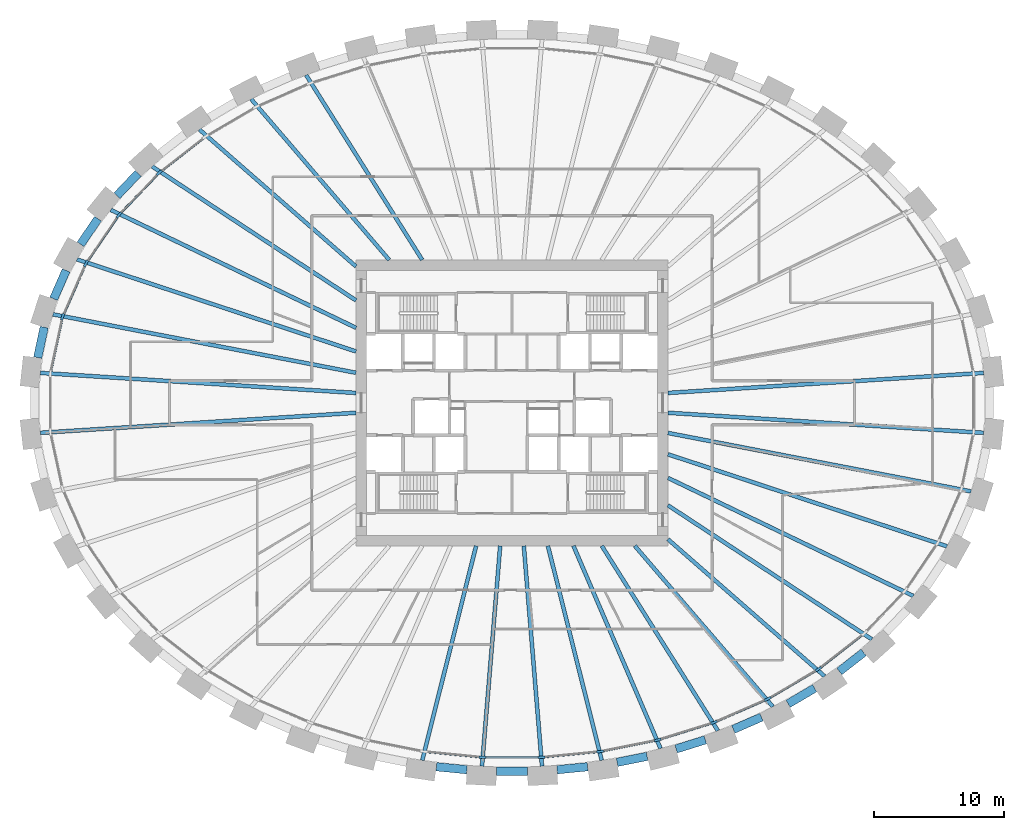
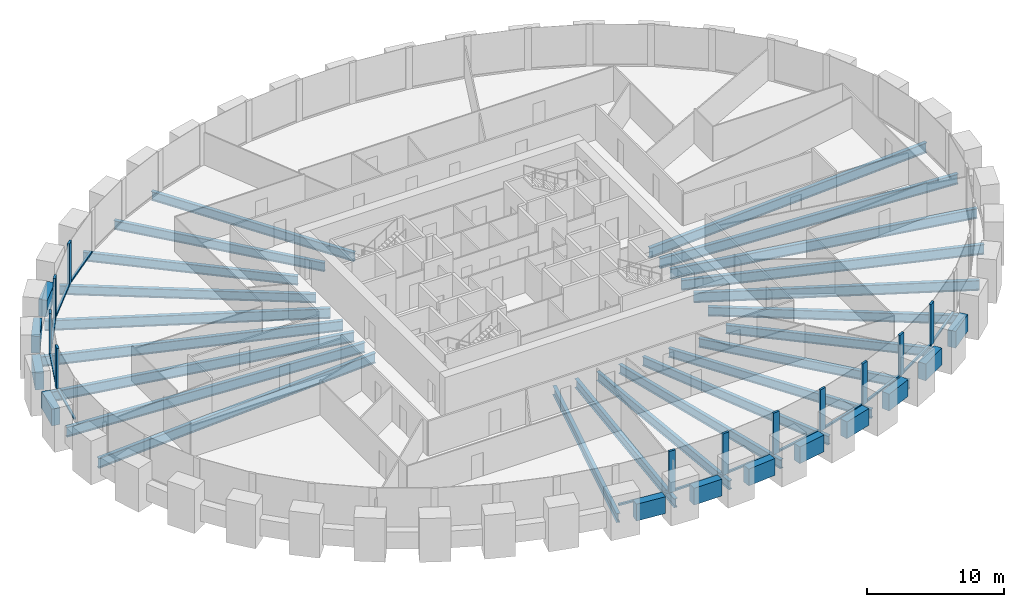
# One storey, part 2 of 10: 35 beams, 24 members, 1 element without a shape of its own.
"""IFC4 building model written with IfcOpenShell, lengths in metres."""

from ifc_helpers import new_model, si_unit, direction, frame, origin, origin_2d, place, context, subcontext, project, spatial, rectangle, i_section, extrude, source, transform, mapped, material, material_profile, profile_set, type_object, element, aggregate, save


model = new_model("IFC4")

# Units and contexts
model_context = context("Model", 3, precision=1e-05, world=origin(), true_north=direction((0.0, 1.0)))
body_context = subcontext(model_context, "Body", "Model", "MODEL_VIEW")
ifc_project = project(units=[si_unit("LENGTHUNIT", "METRE"), si_unit("AREAUNIT", "SQUARE_METRE"), si_unit("VOLUMEUNIT", "CUBIC_METRE"), si_unit("PLANEANGLEUNIT", "RADIAN"), si_unit("MASSUNIT", "GRAM", prefix="KILO")], contexts=[model_context])

# Site, building, storey
site_placement = place(None, origin())
site = spatial("IfcSite", under=ifc_project, at=site_placement, CompositionType="ELEMENT")
building_placement = place(site_placement, origin())
building = spatial("IfcBuilding", under=site, at=building_placement, Name="Embergate Tower", CompositionType="ELEMENT")
storey_placement = place(building_placement, frame((0.0, 0.0, 183.300048828125)))
storey = spatial("IfcBuildingStorey", under=building, at=storey_placement, Name="L41", CompositionType="ELEMENT", Elevation=183.300048828125)

# Beams
ifc_material_1 = material(Name="Concrete C70", Category="concrete")
ifc_material_profile_1 = material_profile(ifc_material_1, rectangle(XDim=0.64990234375, YDim=1.5, at=origin_2d()), Name="RC 650x1500")
ifc_profile_set_1 = profile_set([ifc_material_profile_1], Name="Concrete C70")
beam_type_1 = type_object("IfcBeamType", Name="Spandrel beam RC 650x1500 C70", PredefinedType="BEAM", material=ifc_profile_set_1)
shared_shape_1 = source(origin(), body_context, "Body", "SweptSolid", [
    extrude(rectangle(XDim=0.64990234375, YDim=1.5, at=origin_2d()), origin(), (0.0, 0.0, 1.0), 2.390625),
])
beam_1_placement = place(storey_placement, frame((-35.986083984375, 5.821044921875, 0.0), z_axis=(-0.210372893439, -0.977621217909, 0.0), x_axis=(0.977621217909, -0.210372893439, 0.0)))
element("IfcBeam", 1, at=beam_1_placement, inside=storey, type_object=beam_type_1, Name="SPN-L41-20", PredefinedType="BEAM", context=body_context, shape_type="MappedRepresentation", body=[
    mapped(shared_shape_1, transform((0.0, 0.0, 0.0))),
])
shared_shape_2 = source(origin(), body_context, "Body", "SweptSolid", [
    extrude(rectangle(XDim=0.64990234375, YDim=1.5, at=origin_2d()), origin(), (0.0, 0.0, 1.0), 2.383544921875),
])
beam_2_placement = place(storey_placement, frame((-34.302001953125, 10.18603515625, 0.0), z_axis=(-0.401495719711, -0.915860899402, 0.0), x_axis=(0.915860899402, -0.401495719711, 0.0)))
element("IfcBeam", 2, at=beam_2_placement, inside=storey, type_object=beam_type_1, Name="SPN-L41-19", PredefinedType="BEAM", context=body_context, shape_type="MappedRepresentation", body=[
    mapped(shared_shape_2, transform((0.0, 0.0, 0.0))),
])
shared_shape_3 = source(origin(), body_context, "Body", "SweptSolid", [
    extrude(rectangle(XDim=0.64990234375, YDim=1.5, at=origin_2d()), origin(), (0.0, 0.0, 1.0), 2.37744140625),
])
beam_3_placement = place(storey_placement, frame((-31.85107421875, 14.1650390625, 0.0), z_axis=(-0.562307212713, -0.826928411975, 0.0), x_axis=(0.826928411975, -0.562307212713, 0.0)))
element("IfcBeam", 3, at=beam_3_placement, inside=storey, type_object=beam_type_1, Name="SPN-L41-18", PredefinedType="BEAM", context=body_context, shape_type="MappedRepresentation", body=[
    mapped(shared_shape_3, transform((0.0, 0.0, 0.0))),
])
shared_shape_4 = source(origin(), body_context, "Body", "SweptSolid", [
    extrude(rectangle(XDim=0.64990234375, YDim=1.5, at=origin_2d()), origin(), (0.0, 0.0, 1.0), 2.370361328125),
])
beam_4_placement = place(storey_placement, frame((-28.7548828125, 17.656982421875, 0.0), z_axis=(-0.690277300847, -0.723544917704, 0.0), x_axis=(0.723544917704, -0.690277300847, 0.0)))
element("IfcBeam", 4, at=beam_4_placement, inside=storey, type_object=beam_type_1, Name="SPN-L41-17", PredefinedType="BEAM", context=body_context, shape_type="MappedRepresentation", body=[
    mapped(shared_shape_4, transform((0.0, 0.0, 0.0))),
])
shared_shape_5 = source(origin(), body_context, "Body", "SweptSolid", [
    extrude(rectangle(XDim=0.64990234375, YDim=1.5, at=origin_2d()), origin(), (0.0, 0.0, 1.0), 2.367431640625),
])
beam_5_placement = place(storey_placement, frame((25.18408203125, -20.657958984375, 0.0), z_axis=(0.788179129097, 0.615445903761, 0.0), x_axis=(-0.615445903761, 0.788179129097, 0.0)))
element("IfcBeam", 5, at=beam_5_placement, inside=storey, type_object=beam_type_1, Name="SPN-L41-38", PredefinedType="BEAM", context=body_context, shape_type="MappedRepresentation", body=[
    mapped(shared_shape_5, transform((0.0, 0.0, 0.0))),
])
shared_shape_6 = source(origin(), body_context, "Body", "SweptSolid", [
    extrude(rectangle(XDim=0.64990234375, YDim=1.5, at=origin_2d()), origin(), (0.0, 0.0, 1.0), 2.36181640625),
])
beam_6_placement = place(storey_placement, frame((21.24609375, -23.14794921875, 0.0), z_axis=(0.86203783714, 0.506843927989, 0.0), x_axis=(-0.506843927989, 0.86203783714, 0.0)))
element("IfcBeam", 6, at=beam_6_placement, inside=storey, type_object=beam_type_1, Name="SPN-L41-37", PredefinedType="BEAM", context=body_context, shape_type="MappedRepresentation", body=[
    mapped(shared_shape_6, transform((0.0, 0.0, 0.0))),
])
shared_shape_7 = source(origin(), body_context, "Body", "SweptSolid", [
    extrude(rectangle(XDim=0.64990234375, YDim=1.5, at=origin_2d()), origin(), (0.0, 0.0, 1.0), 2.357177734375),
])
beam_7_placement = place(storey_placement, frame((17.028076171875, -25.118896484375, 0.0), z_axis=(0.916330780136, 0.400422153951, 0.0), x_axis=(-0.400422153951, 0.916330780136, 0.0)))
element("IfcBeam", 7, at=beam_7_placement, inside=storey, type_object=beam_type_1, Name="SPN-L41-36", PredefinedType="BEAM", context=body_context, shape_type="MappedRepresentation", body=[
    mapped(shared_shape_7, transform((0.0, 0.0, 0.0))),
])
shared_shape_8 = source(origin(), body_context, "Body", "SweptSolid", [
    extrude(rectangle(XDim=0.64990234375, YDim=1.5, at=origin_2d()), origin(), (0.0, 0.0, 1.0), 2.354736328125),
])
beam_8_placement = place(storey_placement, frame((12.625, -26.6240234375, 0.0), z_axis=(0.954671641149, 0.2976609776, 0.0), x_axis=(-0.2976609776, 0.954671641149, 0.0)))
element("IfcBeam", 8, at=beam_8_placement, inside=storey, type_object=beam_type_1, Name="SPN-L41-35", PredefinedType="BEAM", context=body_context, shape_type="MappedRepresentation", body=[
    mapped(shared_shape_8, transform((0.0, 0.0, 0.0))),
])
shared_shape_9 = source(origin(), body_context, "Body", "SweptSolid", [
    extrude(rectangle(XDim=0.64990234375, YDim=1.5, at=origin_2d()), origin(), (0.0, 0.0, 1.0), 2.35302734375),
])
beam_9_placement = place(storey_placement, frame((8.089111328125, -27.655029296875, 0.0), z_axis=(0.980436743633, 0.196834427206, 0.0), x_axis=(-0.196834427206, 0.980436743633, 0.0)))
element("IfcBeam", 9, at=beam_9_placement, inside=storey, type_object=beam_type_1, Name="SPN-L41-34", PredefinedType="BEAM", context=body_context, shape_type="MappedRepresentation", body=[
    mapped(shared_shape_9, transform((0.0, 0.0, 0.0))),
])
shared_shape_10 = source(origin(), body_context, "Body", "SweptSolid", [
    extrude(rectangle(XDim=0.64990234375, YDim=1.5, at=origin_2d()), origin(), (0.0, 0.0, 1.0), 2.352294921875),
])
for number, where, z_axis, x_axis, name in (
    (10, (-5.81396484375, -27.993896484375, 0.0), (0.995199233924, -0.097869733819, 0.0), (0.097869733819, 0.995199233924, 0.0), "SPN-L41-31"),
    (11, (3.472900390625, -28.22412109375, 0.0), (0.995199233924, 0.097869733819, 0.0), (-0.097869733819, 0.995199233924, 0.0), "SPN-L41-33"),
):
    element("IfcBeam", number, at=place(storey_placement, frame(where, z_axis=z_axis, x_axis=x_axis)), inside=storey, type_object=beam_type_1, Name=name, PredefinedType="BEAM", context=body_context, shape_type="MappedRepresentation", body=[
        mapped(shared_shape_10, transform((0.0, 0.0, 0.0))),
    ])
shared_shape_11 = source(origin(), body_context, "Body", "SweptSolid", [
    extrude(rectangle(XDim=0.64990234375, YDim=1.5, at=origin_2d()), origin(), (0.0, 0.0, 1.0), 2.35205078125),
])
beam_10_placement = place(storey_placement, frame((-1.176025390625, -28.3369140625, 0.0), z_axis=(1.0, 0.0, 0.0), x_axis=(0.0, 1.0, 0.0)))
element("IfcBeam", 12, at=beam_10_placement, inside=storey, type_object=beam_type_1, Name="SPN-L41-32", PredefinedType="BEAM", context=body_context, shape_type="MappedRepresentation", body=[
    mapped(shared_shape_11, transform((0.0, 0.0, 0.0))),
])
ifc_material_2 = material(Name="Steel Q355B", Category="steel")
ifc_material_profile_2 = material_profile(ifc_material_2, i_section(OverallWidth=0.300048828125, OverallDepth=0.89990234375, WebThickness=0.01611328125, FlangeThickness=0.028076171875, FilletRadius=0.028076171875, at=origin_2d()), Name="HN 900x300x16x28")
ifc_profile_set_2 = profile_set([ifc_material_profile_2], Name="Steel Q355 grade B")
beam_type_2 = type_object("IfcBeamType", Name="Radial girder HN 900x300x16x28", PredefinedType="BEAM", material=ifc_profile_set_2)
shared_shape_12 = source(origin(), body_context, "Body", "SweptSolid", [
    extrude(i_section(OverallWidth=0.300048828125, OverallDepth=0.89990234375, WebThickness=0.01611328125, FlangeThickness=0.028076171875, FilletRadius=0.028076171875, at=origin_2d()), origin(), (0.0, 0.0, 1.0), 24.336181640625),
])
for number, where, z_axis, x_axis, name in (
    (13, (36.287109375, 2.305908203125, -0.650146484375), (-0.997985495245, -0.063442503739, 0.0), (0.063442503739, -0.997985495245, 0.0), "GIR-L41-00"),
    (14, (-36.287109375, 2.305908203125, -0.650146484375), (0.997985495245, -0.063442503739, 0.0), (0.063442503739, 0.997985495245, 0.0), "GIR-L41-21"),
    (15, (-36.287109375, -2.305908203125, -0.650146484375), (0.997985495245, 0.063442503739, 0.0), (-0.063442503739, 0.997985495245, 0.0), "GIR-L41-22"),
    (16, (36.287109375, -2.305908203125, -0.650146484375), (-0.997985495245, 0.063442503739, 0.0), (-0.063442503739, -0.997985495245, 0.0), "GIR-L41-43"),
):
    element("IfcBeam", number, at=place(storey_placement, frame(where, z_axis=z_axis, x_axis=x_axis)), inside=storey, type_object=beam_type_2, Name=name, PredefinedType="BEAM", context=body_context, shape_type="MappedRepresentation", body=[
        mapped(shared_shape_12, transform((0.0, 0.0, 0.0))),
    ])
shared_shape_13 = source(origin(), body_context, "Body", "SweptSolid", [
    extrude(i_section(OverallWidth=0.300048828125, OverallDepth=0.89990234375, WebThickness=0.01611328125, FlangeThickness=0.028076171875, FilletRadius=0.028076171875, at=origin_2d()), origin(), (0.0, 0.0, 1.0), 23.747802734375),
])
for number, where, z_axis, x_axis, name in (
    (17, (-35.318115234375, 6.81201171875, -0.650146484375), (0.981906216614, -0.189367847787, 0.0), (0.189367847787, 0.981906216614, 0.0), "GIR-L41-20"),
    (18, (35.318115234375, -6.81201171875, -0.650146484375), (-0.981906216614, 0.189367847787, 0.0), (-0.189367847787, -0.981906216614, 0.0), "GIR-L41-42"),
):
    element("IfcBeam", number, at=place(storey_placement, frame(where, z_axis=z_axis, x_axis=x_axis)), inside=storey, type_object=beam_type_2, Name=name, PredefinedType="BEAM", context=body_context, shape_type="MappedRepresentation", body=[
        mapped(shared_shape_13, transform((0.0, 0.0, 0.0))),
    ])
shared_shape_14 = source(origin(), body_context, "Body", "SweptSolid", [
    extrude(i_section(OverallWidth=0.300048828125, OverallDepth=0.89990234375, WebThickness=0.01611328125, FlangeThickness=0.028076171875, FilletRadius=0.028076171875, at=origin_2d()), origin(), (0.0, 0.0, 1.0), 22.602294921875),
])
for number, where, z_axis, x_axis, name in (
    (19, (-33.465087890625, 11.035888671875, -0.650146484375), (0.949689481284, -0.313193054103, 0.0), (0.313193054103, 0.949689481284, 0.0), "GIR-L41-19"),
    (20, (33.465087890625, -11.035888671875, -0.650146484375), (-0.949689481284, 0.313193054103, 0.0), (-0.313193054103, -0.949689481284, 0.0), "GIR-L41-41"),
):
    element("IfcBeam", number, at=place(storey_placement, frame(where, z_axis=z_axis, x_axis=x_axis)), inside=storey, type_object=beam_type_2, Name=name, PredefinedType="BEAM", context=body_context, shape_type="MappedRepresentation", body=[
        mapped(shared_shape_14, transform((0.0, 0.0, 0.0))),
    ])
shared_shape_15 = source(origin(), body_context, "Body", "SweptSolid", [
    extrude(i_section(OverallWidth=0.300048828125, OverallDepth=0.89990234375, WebThickness=0.01611328125, FlangeThickness=0.028076171875, FilletRadius=0.028076171875, at=origin_2d()), origin(), (0.0, 0.0, 1.0), 20.941162109375),
])
for number, where, z_axis, x_axis, name in (
    (21, (-30.87109375, 14.85107421875, -0.650146484375), (0.901150138625, -0.433507125267, 0.0), (0.433507125267, 0.901150138625, 0.0), "GIR-L41-18"),
    (22, (30.87109375, -14.85107421875, -0.650146484375), (-0.901150138625, 0.433507125267, 0.0), (-0.433507125267, -0.901150138625, 0.0), "GIR-L41-40"),
):
    element("IfcBeam", number, at=place(storey_placement, frame(where, z_axis=z_axis, x_axis=x_axis)), inside=storey, type_object=beam_type_2, Name=name, PredefinedType="BEAM", context=body_context, shape_type="MappedRepresentation", body=[
        mapped(shared_shape_15, transform((0.0, 0.0, 0.0))),
    ])
ifc_material_profile_3 = material_profile(ifc_material_2, i_section(OverallWidth=0.300048828125, OverallDepth=0.800048828125, WebThickness=0.013916015625, FlangeThickness=0.02587890625, FilletRadius=0.028076171875, at=origin_2d()), Name="HN 800x300x14x26")
ifc_profile_set_3 = profile_set([ifc_material_profile_3], Name="Steel Q355 grade B")
beam_type_3 = type_object("IfcBeamType", Name="Radial girder HN 800x300x14x26", PredefinedType="BEAM", material=ifc_profile_set_3)
shared_shape_16 = source(origin(), body_context, "Body", "SweptSolid", [
    extrude(i_section(OverallWidth=0.300048828125, OverallDepth=0.800048828125, WebThickness=0.013916015625, FlangeThickness=0.02587890625, FilletRadius=0.028076171875, at=origin_2d()), origin(), (0.0, 0.0, 1.0), 18.76953125),
])
for number, where, z_axis, x_axis, name in (
    (23, (-27.68701171875, 18.18994140625, -0.60009765625), (0.835771481667, -0.549077435734, 0.0), (0.549077435734, 0.835771481667, 0.0), "GIR-L41-17"),
    (24, (27.68701171875, -18.18994140625, -0.60009765625), (-0.835771481667, 0.549077435734, 0.0), (-0.549077435734, -0.835771481667, 0.0), "GIR-L41-39"),
):
    element("IfcBeam", number, at=place(storey_placement, frame(where, z_axis=z_axis, x_axis=x_axis)), inside=storey, type_object=beam_type_3, Name=name, PredefinedType="BEAM", context=body_context, shape_type="MappedRepresentation", body=[
        mapped(shared_shape_16, transform((0.0, 0.0, 0.0))),
    ])
shared_shape_17 = source(origin(), body_context, "Body", "SweptSolid", [
    extrude(i_section(OverallWidth=0.300048828125, OverallDepth=0.800048828125, WebThickness=0.013916015625, FlangeThickness=0.02587890625, FilletRadius=0.028076171875, at=origin_2d()), origin(), (0.0, 0.0, 1.0), 16.005859375),
])
for number, where, z_axis, x_axis, name in (
    (25, (-24.048095703125, 21.031005859375, -0.60009765625), (0.752730691054, -0.658328570506, 0.0), (0.658328570506, 0.752730691054, 0.0), "GIR-L41-16"),
    (26, (24.048095703125, -21.031005859375, -0.60009765625), (-0.752730691054, 0.658328570506, 0.0), (-0.658328570506, -0.752730691054, 0.0), "GIR-L41-38"),
):
    element("IfcBeam", number, at=place(storey_placement, frame(where, z_axis=z_axis, x_axis=x_axis)), inside=storey, type_object=beam_type_3, Name=name, PredefinedType="BEAM", context=body_context, shape_type="MappedRepresentation", body=[
        mapped(shared_shape_17, transform((0.0, 0.0, 0.0))),
    ])
shared_shape_18 = source(origin(), body_context, "Body", "SweptSolid", [
    extrude(i_section(OverallWidth=0.300048828125, OverallDepth=0.800048828125, WebThickness=0.013916015625, FlangeThickness=0.02587890625, FilletRadius=0.028076171875, at=origin_2d()), origin(), (0.0, 0.0, 1.0), 16.305419921875),
])
for number, where, z_axis, x_axis, name in (
    (27, (-20.069091796875, 23.3701171875, -0.60009765625), (0.651501333184, -0.758647489193, 0.0), (0.758647489193, 0.651501333184, 0.0), "GIR-L41-15"),
    (28, (20.069091796875, -23.3701171875, -0.60009765625), (-0.651501333184, 0.758647489193, 0.0), (-0.758647489193, -0.651501333184, 0.0), "GIR-L41-37"),
):
    element("IfcBeam", number, at=place(storey_placement, frame(where, z_axis=z_axis, x_axis=x_axis)), inside=storey, type_object=beam_type_3, Name=name, PredefinedType="BEAM", context=body_context, shape_type="MappedRepresentation", body=[
        mapped(shared_shape_18, transform((0.0, 0.0, 0.0))),
    ])
shared_shape_19 = source(origin(), body_context, "Body", "SweptSolid", [
    extrude(i_section(OverallWidth=0.300048828125, OverallDepth=0.800048828125, WebThickness=0.013916015625, FlangeThickness=0.02587890625, FilletRadius=0.028076171875, at=origin_2d()), origin(), (0.0, 0.0, 1.0), 16.79052734375),
])
for number, where, z_axis, x_axis, name in (
    (29, (-15.837890625, 25.218994140625, -0.60009765625), (0.531841858708, -0.8468436912, 0.0), (0.8468436912, 0.531841858708, 0.0), "GIR-L41-14"),
    (30, (15.837890625, -25.218994140625, -0.60009765625), (-0.531841858708, 0.8468436912, 0.0), (-0.8468436912, -0.531841858708, 0.0), "GIR-L41-36"),
):
    element("IfcBeam", number, at=place(storey_placement, frame(where, z_axis=z_axis, x_axis=x_axis)), inside=storey, type_object=beam_type_3, Name=name, PredefinedType="BEAM", context=body_context, shape_type="MappedRepresentation", body=[
        mapped(shared_shape_19, transform((0.0, 0.0, 0.0))),
    ])
shared_shape_20 = source(origin(), body_context, "Body", "SweptSolid", [
    extrude(i_section(OverallWidth=0.300048828125, OverallDepth=0.800048828125, WebThickness=0.013916015625, FlangeThickness=0.02587890625, FilletRadius=0.028076171875, at=origin_2d()), origin(), (0.0, 0.0, 1.0), 16.971435546875),
])
beam_11_placement = place(storey_placement, frame((11.429931640625, -26.592041015625, -0.60009765625), z_axis=(-0.394894806524, 0.918726342161, 0.0), x_axis=(-0.918726342161, -0.394894806524, 0.0)))
element("IfcBeam", 31, at=beam_11_placement, inside=storey, type_object=beam_type_3, Name="GIR-L41-35", PredefinedType="BEAM", context=body_context, shape_type="MappedRepresentation", body=[
    mapped(shared_shape_20, transform((0.0, 0.0, 0.0))),
])
shared_shape_21 = source(origin(), body_context, "Body", "SweptSolid", [
    extrude(i_section(OverallWidth=0.300048828125, OverallDepth=0.800048828125, WebThickness=0.013916015625, FlangeThickness=0.02587890625, FilletRadius=0.028076171875, at=origin_2d()), origin(), (0.0, 0.0, 1.0), 17.011962890625),
])
for number, where, z_axis, x_axis, name in (
    (32, (-6.903076171875, -27.5, -0.60009765625), (0.243480994992, 0.969905668134, 0.0), (-0.969905668134, 0.243480994992, 0.0), "GIR-L41-31"),
    (33, (6.903076171875, -27.5, -0.60009765625), (-0.243480994992, 0.969905668134, 0.0), (-0.969905668134, -0.243480994992, 0.0), "GIR-L41-34"),
):
    element("IfcBeam", number, at=place(storey_placement, frame(where, z_axis=z_axis, x_axis=x_axis)), inside=storey, type_object=beam_type_3, Name=name, PredefinedType="BEAM", context=body_context, shape_type="MappedRepresentation", body=[
        mapped(shared_shape_21, transform((0.0, 0.0, 0.0))),
    ])
shared_shape_22 = source(origin(), body_context, "Body", "SweptSolid", [
    extrude(i_section(OverallWidth=0.300048828125, OverallDepth=0.800048828125, WebThickness=0.013916015625, FlangeThickness=0.02587890625, FilletRadius=0.028076171875, at=origin_2d()), origin(), (0.0, 0.0, 1.0), 17.009521484375),
])
for number, where, z_axis, x_axis, name in (
    (34, (-2.30908203125, -27.951904296875, -0.60009765625), (0.082314935073, 0.996606367361, 0.0), (-0.996606367361, 0.082314935073, 0.0), "GIR-L41-32"),
    (35, (2.30908203125, -27.951904296875, -0.60009765625), (-0.082314935073, 0.996606367361, 0.0), (-0.996606367361, -0.082314935073, 0.0), "GIR-L41-33"),
):
    element("IfcBeam", number, at=place(storey_placement, frame(where, z_axis=z_axis, x_axis=x_axis)), inside=storey, type_object=beam_type_3, Name=name, PredefinedType="BEAM", context=body_context, shape_type="MappedRepresentation", body=[
        mapped(shared_shape_22, transform((0.0, 0.0, 0.0))),
    ])

# Curtain wall, members
ifc_material_3 = material(Name="Aluminium and glass", Category="aluminium")
curtain_wall_type = type_object("IfcCurtainWallType", Name="Recessed office glazing", PredefinedType="NOTDEFINED", material=ifc_material_3)
curtain_wall_placement = place(storey_placement, origin())
curtain_wall = element("IfcCurtainWall", 36, at=curtain_wall_placement, inside=storey, type_object=curtain_wall_type, Name="Recessed office glazing ring", ObjectType="RECESSED OFFICE GLAZING", PredefinedType="USERDEFINED")
ifc_material_4 = material(Name="Aluminium, thermally broken", Category="aluminium")
ifc_material_profile_4 = material_profile(ifc_material_4, rectangle(XDim=0.179931640625, YDim=0.52001953125, at=origin_2d()), Name="AL 520x180")
ifc_profile_set_4 = profile_set([ifc_material_profile_4], Name="Aluminium, thermally broken")
member_type_1 = type_object("IfcMemberType", Name="Office mullion", PredefinedType="MULLION", material=ifc_profile_set_4)
shared_shape_23 = source(origin(), body_context, "Body", "SweptSolid", [
    extrude(rectangle(XDim=0.179931640625, YDim=0.52001953125, at=origin_2d()), origin(), (0.0, 0.0, 1.0), 3.699951171875),
])
member_1_placement = place(storey_placement, frame((-27.13427734375, 17.709716796875, 0.0), z_axis=(0.0, 0.0, 1.0), x_axis=(0.671229121411, -0.741249935292, 0.0)))
member_1 = element("IfcMember", 37, at=member_1_placement, type_object=member_type_1, Name="CW mullion 18", PredefinedType="MULLION", context=body_context, shape_type="MappedRepresentation", body=[
    mapped(shared_shape_23, transform((0.0, 0.0, 0.0))),
])
member_2_placement = place(storey_placement, frame((-30.24365234375, 14.448974609375, 0.0), z_axis=(0.0, 0.0, 1.0), x_axis=(0.777873661157, -0.62842069291, 0.0)))
member_2 = element("IfcMember", 38, at=member_2_placement, type_object=member_type_1, Name="CW mullion 19", PredefinedType="MULLION", context=body_context, shape_type="MappedRepresentation", body=[
    mapped(shared_shape_23, transform((0.0, 0.0, 0.0))),
])
member_3_placement = place(storey_placement, frame((-32.7724609375, 10.73046875, 0.0), z_axis=(0.0, 0.0, 1.0), x_axis=(0.875002740779, -0.484117964581, 0.0)))
member_3 = element("IfcMember", 39, at=member_3_placement, type_object=member_type_1, Name="CW mullion 20", PredefinedType="MULLION", context=body_context, shape_type="MappedRepresentation", body=[
    mapped(shared_shape_23, transform((0.0, 0.0, 0.0))),
])
member_4_placement = place(storey_placement, frame((-34.5751953125, 6.6201171875, 0.0), z_axis=(0.0, 0.0, 1.0), x_axis=(0.951497797992, -0.307655554826, 0.0)))
member_4 = element("IfcMember", 40, at=member_4_placement, type_object=member_type_1, Name="CW mullion 21", PredefinedType="MULLION", context=body_context, shape_type="MappedRepresentation", body=[
    mapped(shared_shape_23, transform((0.0, 0.0, 0.0))),
])
member_5_placement = place(storey_placement, frame((-2.265380859375, -27.268798828125, 0.0), z_axis=(0.0, 0.0, 1.0), x_axis=(0.048971796621, 0.998800161762, 0.0)))
member_5 = element("IfcMember", 41, at=member_5_placement, type_object=member_type_1, Name="CW mullion 33", PredefinedType="MULLION", context=body_context, shape_type="MappedRepresentation", body=[
    mapped(shared_shape_23, transform((0.0, 0.0, 0.0))),
])
member_6_placement = place(storey_placement, frame((2.265380859375, -27.268798828125, 0.0), z_axis=(0.0, 0.0, 1.0), x_axis=(-0.048971796621, 0.998800161762, 0.0)))
member_6 = element("IfcMember", 42, at=member_6_placement, type_object=member_type_1, Name="CW mullion 34", PredefinedType="MULLION", context=body_context, shape_type="MappedRepresentation", body=[
    mapped(shared_shape_23, transform((0.0, 0.0, 0.0))),
])
member_7_placement = place(storey_placement, frame((6.773681640625, -26.825439453125, 0.0), z_axis=(0.0, 0.0, 1.0), x_axis=(-0.147412382818, 0.989075118174, 0.0)))
member_7 = element("IfcMember", 43, at=member_7_placement, type_object=member_type_1, Name="CW mullion 35", PredefinedType="MULLION", context=body_context, shape_type="MappedRepresentation", body=[
    mapped(shared_shape_23, transform((0.0, 0.0, 0.0))),
])
member_8_placement = place(storey_placement, frame((11.21435546875, -25.934814453125, 0.0), z_axis=(0.0, 0.0, 1.0), x_axis=(-0.247313572481, 0.968935496752, 0.0)))
member_8 = element("IfcMember", 44, at=member_8_placement, type_object=member_type_1, Name="CW mullion 36", PredefinedType="MULLION", context=body_context, shape_type="MappedRepresentation", body=[
    mapped(shared_shape_23, transform((0.0, 0.0, 0.0))),
])
member_9_placement = place(storey_placement, frame((15.536376953125, -24.5888671875, 0.0), z_axis=(0.0, 0.0, 1.0), x_axis=(-0.349504318111, 0.93693475313, 0.0)))
member_9 = element("IfcMember", 45, at=member_9_placement, type_object=member_type_1, Name="CW mullion 37", PredefinedType="MULLION", context=body_context, shape_type="MappedRepresentation", body=[
    mapped(shared_shape_23, transform((0.0, 0.0, 0.0))),
])
member_10_placement = place(storey_placement, frame((19.680908203125, -22.776611328125, 0.0), z_axis=(0.0, 0.0, 1.0), x_axis=(-0.454512935162, 0.89074013706, 0.0)))
member_10 = element("IfcMember", 46, at=member_10_placement, type_object=member_type_1, Name="CW mullion 38", PredefinedType="MULLION", context=body_context, shape_type="MappedRepresentation", body=[
    mapped(shared_shape_23, transform((0.0, 0.0, 0.0))),
])
member_11_placement = place(storey_placement, frame((23.576416015625, -20.486328125, 0.0), z_axis=(0.0, 0.0, 1.0), x_axis=(-0.562219061911, 0.826988347211, 0.0)))
member_11 = element("IfcMember", 47, at=member_11_placement, type_object=member_type_1, Name="CW mullion 39", PredefinedType="MULLION", context=body_context, shape_type="MappedRepresentation", body=[
    mapped(shared_shape_23, transform((0.0, 0.0, 0.0))),
])
ifc_material_profile_5 = material_profile(ifc_material_4, rectangle(XDim=0.179931640625, YDim=0.14990234375, at=origin_2d()), Name="AL 150x180")
ifc_profile_set_5 = profile_set([ifc_material_profile_5], Name="Aluminium, thermally broken")
member_type_2 = type_object("IfcMemberType", Name="Office sill transom", PredefinedType="USERDEFINED", material=ifc_profile_set_5)
shared_shape_24 = source(origin(), body_context, "Body", "SweptSolid", [
    extrude(rectangle(XDim=0.179931640625, YDim=0.14990234375, at=origin_2d()), origin(), (0.0, 0.0, 1.0), 3.96142578125),
])
member_12_placement = place(storey_placement, frame((-34.6298828125, 6.3662109375, 0.074951171875), z_axis=(-0.210400224287, -0.977615336224, 0.0), x_axis=(0.977615336224, -0.210400224287, 0.0)))
member_12 = element("IfcMember", 48, at=member_12_placement, type_object=member_type_2, Name="CW transom 21.1", ObjectType="TRANSOM", PredefinedType="USERDEFINED", context=body_context, shape_type="MappedRepresentation", body=[
    mapped(shared_shape_24, transform((0.0, 0.0, 0.0))),
])
shared_shape_25 = source(origin(), body_context, "Body", "SweptSolid", [
    extrude(rectangle(XDim=0.179931640625, YDim=0.14990234375, at=origin_2d()), origin(), (0.0, 0.0, 1.0), 3.968017578125),
])
member_13_placement = place(storey_placement, frame((-32.876953125, 10.4921875, 0.074951171875), z_axis=(-0.401657873891, -0.915789797028, 0.0), x_axis=(0.915789797028, -0.401657873891, 0.0)))
member_13 = element("IfcMember", 49, at=member_13_placement, type_object=member_type_2, Name="CW transom 20.1", ObjectType="TRANSOM", PredefinedType="USERDEFINED", context=body_context, shape_type="MappedRepresentation", body=[
    mapped(shared_shape_25, transform((0.0, 0.0, 0.0))),
])
shared_shape_26 = source(origin(), body_context, "Body", "SweptSolid", [
    extrude(rectangle(XDim=0.179931640625, YDim=0.14990234375, at=origin_2d()), origin(), (0.0, 0.0, 1.0), 3.976806640625),
])
member_14_placement = place(storey_placement, frame((-30.389892578125, 14.23388671875, 0.074951171875), z_axis=(-0.5623268127, -0.826915083741, 0.0), x_axis=(0.826915083741, -0.5623268127, 0.0)))
member_14 = element("IfcMember", 50, at=member_14_placement, type_object=member_type_2, Name="CW transom 19.1", ObjectType="TRANSOM", PredefinedType="USERDEFINED", context=body_context, shape_type="MappedRepresentation", body=[
    mapped(shared_shape_26, transform((0.0, 0.0, 0.0))),
])
shared_shape_27 = source(origin(), body_context, "Body", "SweptSolid", [
    extrude(rectangle(XDim=0.179931640625, YDim=0.14990234375, at=origin_2d()), origin(), (0.0, 0.0, 1.0), 3.985595703125),
])
member_15_placement = place(storey_placement, frame((-27.313720703125, 17.521484375, 0.074951171875), z_axis=(-0.690123088355, -0.723692008329, 0.0), x_axis=(0.723692008329, -0.690123088355, 0.0)))
member_15 = element("IfcMember", 51, at=member_15_placement, type_object=member_type_2, Name="CW transom 18.1", ObjectType="TRANSOM", PredefinedType="USERDEFINED", context=body_context, shape_type="MappedRepresentation", body=[
    mapped(shared_shape_27, transform((0.0, 0.0, 0.0))),
])
shared_shape_28 = source(origin(), body_context, "Body", "SweptSolid", [
    extrude(rectangle(XDim=0.179931640625, YDim=0.14990234375, at=origin_2d()), origin(), (0.0, 0.0, 1.0), 3.992919921875),
])
member_16_placement = place(storey_placement, frame((-23.781494140625, 20.326416015625, 0.074951171875), z_axis=(-0.788310720269, -0.615277342594, 0.0), x_axis=(0.615277342594, -0.788310720269, 0.0)))
member_16 = element("IfcMember", 52, at=member_16_placement, type_object=member_type_2, Name="CW transom 17.1", ObjectType="TRANSOM", PredefinedType="USERDEFINED", context=body_context, shape_type="MappedRepresentation", body=[
    mapped(shared_shape_28, transform((0.0, 0.0, 0.0))),
])
member_17_placement = place(storey_placement, frame((23.781494140625, -20.326416015625, 0.074951171875), z_axis=(0.788310720269, 0.615277342594, 0.0), x_axis=(-0.615277342594, 0.788310720269, 0.0)))
member_17 = element("IfcMember", 53, at=member_17_placement, type_object=member_type_2, Name="CW transom 39.1", ObjectType="TRANSOM", PredefinedType="USERDEFINED", context=body_context, shape_type="MappedRepresentation", body=[
    mapped(shared_shape_28, transform((0.0, 0.0, 0.0))),
])
shared_shape_29 = source(origin(), body_context, "Body", "SweptSolid", [
    extrude(rectangle(XDim=0.179931640625, YDim=0.14990234375, at=origin_2d()), origin(), (0.0, 0.0, 1.0), 3.9990234375),
])
member_18_placement = place(storey_placement, frame((19.905029296875, -22.64501953125, 0.074951171875), z_axis=(0.862037779563, 0.506844025916, 0.0), x_axis=(-0.506844025916, 0.862037779563, 0.0)))
member_18 = element("IfcMember", 54, at=member_18_placement, type_object=member_type_2, Name="CW transom 38.1", ObjectType="TRANSOM", PredefinedType="USERDEFINED", context=body_context, shape_type="MappedRepresentation", body=[
    mapped(shared_shape_29, transform((0.0, 0.0, 0.0))),
])
shared_shape_30 = source(origin(), body_context, "Body", "SweptSolid", [
    extrude(rectangle(XDim=0.179931640625, YDim=0.14990234375, at=origin_2d()), origin(), (0.0, 0.0, 1.0), 4.00341796875),
])
member_19_placement = place(storey_placement, frame((15.774658203125, -24.48486328125, 0.074951171875), z_axis=(0.916224504472, 0.400665268529, 0.0), x_axis=(-0.400665268529, 0.916224504472, 0.0)))
member_19 = element("IfcMember", 55, at=member_19_placement, type_object=member_type_2, Name="CW transom 37.1", ObjectType="TRANSOM", PredefinedType="USERDEFINED", context=body_context, shape_type="MappedRepresentation", body=[
    mapped(shared_shape_30, transform((0.0, 0.0, 0.0))),
])
shared_shape_31 = source(origin(), body_context, "Body", "SweptSolid", [
    extrude(rectangle(XDim=0.179931640625, YDim=0.14990234375, at=origin_2d()), origin(), (0.0, 0.0, 1.0), 4.006591796875),
])
member_20_placement = place(storey_placement, frame((11.462646484375, -25.857666015625, 0.074951171875), z_axis=(0.954766855045, 0.297355431273, 0.0), x_axis=(-0.297355431273, 0.954766855045, 0.0)))
member_20 = element("IfcMember", 56, at=member_20_placement, type_object=member_type_2, Name="CW transom 36.1", ObjectType="TRANSOM", PredefinedType="USERDEFINED", context=body_context, shape_type="MappedRepresentation", body=[
    mapped(shared_shape_31, transform((0.0, 0.0, 0.0))),
])
shared_shape_32 = source(origin(), body_context, "Body", "SweptSolid", [
    extrude(rectangle(XDim=0.179931640625, YDim=0.14990234375, at=origin_2d()), origin(), (0.0, 0.0, 1.0), 4.009033203125),
])
member_21_placement = place(storey_placement, frame((7.02880859375, -26.7744140625, 0.074951171875), z_axis=(0.980475131823, 0.196643118053, 0.0), x_axis=(-0.196643118053, 0.980475131823, 0.0)))
member_21 = element("IfcMember", 57, at=member_21_placement, type_object=member_type_2, Name="CW transom 35.1", ObjectType="TRANSOM", PredefinedType="USERDEFINED", context=body_context, shape_type="MappedRepresentation", body=[
    mapped(shared_shape_32, transform((0.0, 0.0, 0.0))),
])
shared_shape_33 = source(origin(), body_context, "Body", "SweptSolid", [
    extrude(rectangle(XDim=0.179931640625, YDim=0.14990234375, at=origin_2d()), origin(), (0.0, 0.0, 1.0), 4.01025390625),
])
member_22_placement = place(storey_placement, frame((-6.51513671875, -26.850830078125, 0.074951171875), z_axis=(0.995196827503, -0.097894200687, 0.0), x_axis=(0.097894200687, 0.995196827503, 0.0)))
member_22 = element("IfcMember", 58, at=member_22_placement, type_object=member_type_2, Name="CW transom 32.1", ObjectType="TRANSOM", PredefinedType="USERDEFINED", context=body_context, shape_type="MappedRepresentation", body=[
    mapped(shared_shape_33, transform((0.0, 0.0, 0.0))),
])
member_23_placement = place(storey_placement, frame((2.524169921875, -27.243408203125, 0.074951171875), z_axis=(0.995196827503, 0.097894200687, 0.0), x_axis=(-0.097894200687, 0.995196827503, 0.0)))
member_23 = element("IfcMember", 59, at=member_23_placement, type_object=member_type_2, Name="CW transom 34.1", ObjectType="TRANSOM", PredefinedType="USERDEFINED", context=body_context, shape_type="MappedRepresentation", body=[
    mapped(shared_shape_33, transform((0.0, 0.0, 0.0))),
])
shared_shape_34 = source(origin(), body_context, "Body", "SweptSolid", [
    extrude(rectangle(XDim=0.179931640625, YDim=0.14990234375, at=origin_2d()), origin(), (0.0, 0.0, 1.0), 4.0107421875),
])
member_24_placement = place(storey_placement, frame((-2.00537109375, -27.268798828125, 0.074951171875), z_axis=(1.0, 0.0, 0.0), x_axis=(0.0, 1.0, 0.0)))
member_24 = element("IfcMember", 60, at=member_24_placement, type_object=member_type_2, Name="CW transom 33.1", ObjectType="TRANSOM", PredefinedType="USERDEFINED", context=body_context, shape_type="MappedRepresentation", body=[
    mapped(shared_shape_34, transform((0.0, 0.0, 0.0))),
])
aggregate(curtain_wall, [member_1, member_2, member_3, member_4, member_5, member_6, member_7, member_8, member_9, member_10, member_11, member_16, member_15, member_14, member_13, member_12, member_22, member_24, member_23, member_21, member_20, member_19, member_18, member_17])

save(model, "model.ifc")
